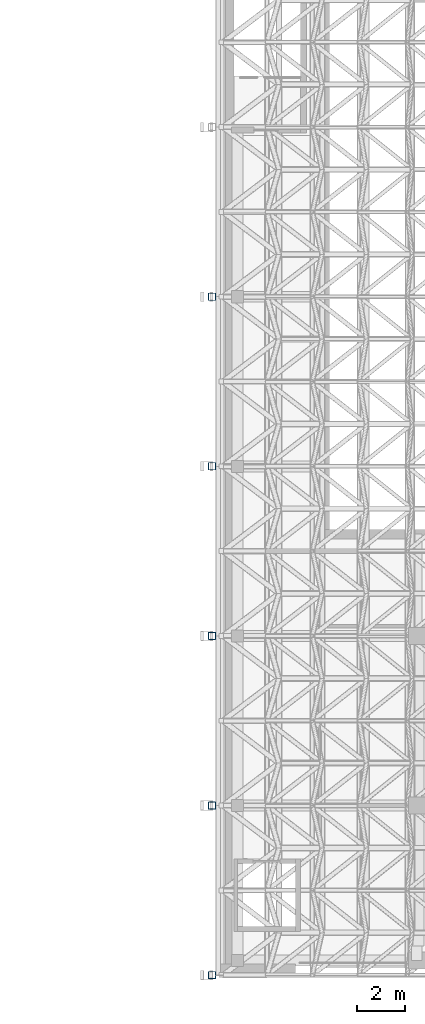
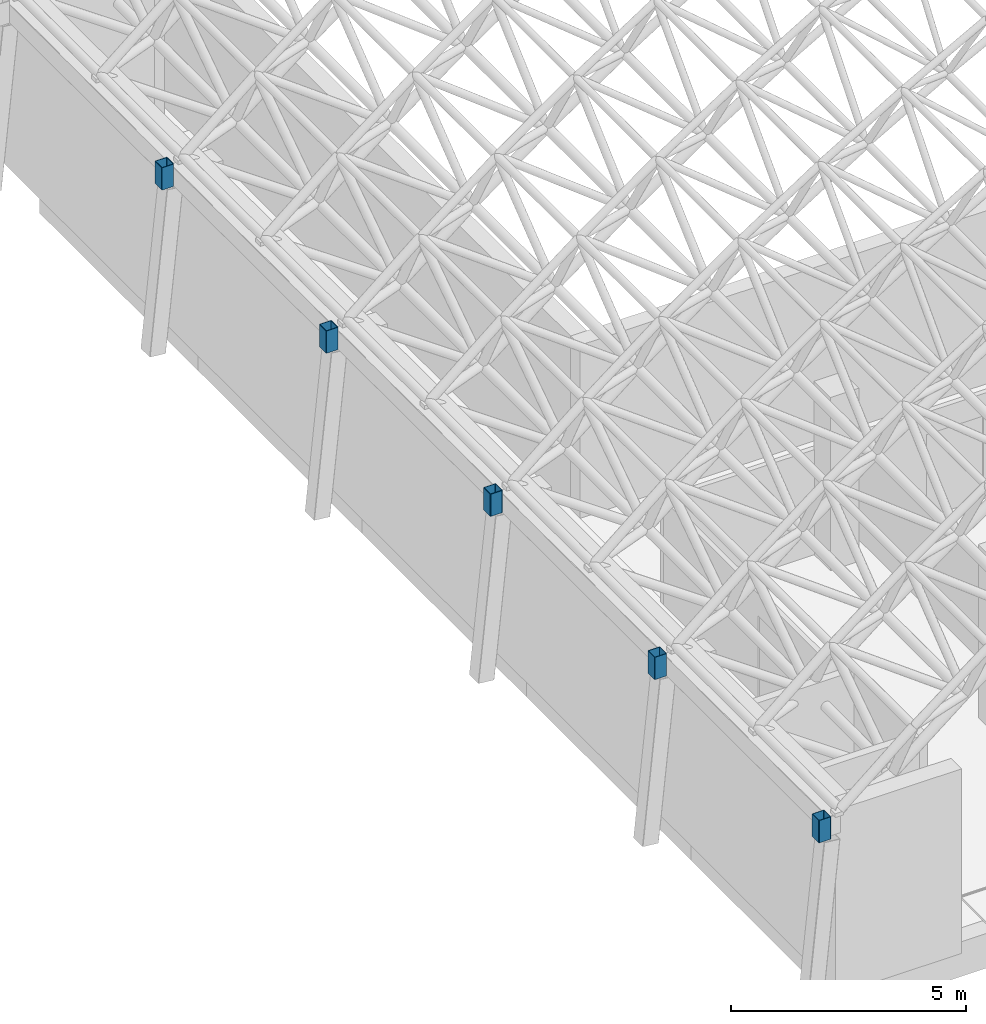
# One storey, part 5 of 141: 5 columns.
"""IFC4 building model written with IfcOpenShell, lengths in metres."""

from ifc_helpers import new_model, si_unit, direction, frame, origin, origin_2d, place, context, subcontext, project, spatial, hollow_rectangle, extrude, material, material_profile, profile_set, type_object, element, save


model = new_model("IFC4")

# Units and contexts
model_context = context("Model", 3, precision=1e-05, world=origin(), true_north=direction((0.0, 1.0)))
body_context = subcontext(model_context, "Body", "Model", "MODEL_VIEW")
ifc_project = project(units=[si_unit("LENGTHUNIT", "METRE"), si_unit("AREAUNIT", "SQUARE_METRE"), si_unit("VOLUMEUNIT", "CUBIC_METRE"), si_unit("PLANEANGLEUNIT", "RADIAN"), si_unit("MASSUNIT", "GRAM", prefix="KILO")], contexts=[model_context])

# Site, building, storey
site_placement = place(None, origin())
site = spatial("IfcSite", under=ifc_project, at=site_placement, CompositionType="ELEMENT")
building_placement = place(site_placement, origin())
building = spatial("IfcBuilding", under=site, at=building_placement, Name="Lantern Court Media Centre", CompositionType="ELEMENT")
storey_placement = place(building_placement, frame((0.0, 0.0, 9.60009765625)))
storey = spatial("IfcBuildingStorey", under=building, at=storey_placement, Name="L02", CompositionType="ELEMENT", Elevation=9.60009765625)

# Columns
ifc_material = material(Name="Steel S355J2 (EN 10025-2)", Category="steel")
ifc_material_profile = material_profile(ifc_material, hollow_rectangle(XDim=0.300048828125, YDim=0.300048828125, WallThickness=0.012451171875, InnerFilletRadius=0.012451171875, OuterFilletRadius=0.018798828125, at=origin_2d()), Name="Studio Hall buttress pinnacle SHS 300x12.5")
ifc_profile_set = profile_set([ifc_material_profile], Name="Steel S355J2 (EN 10025-2)")
column_type = type_object("IfcColumnType", Name="Studio Hall buttress pinnacle SHS 300x12.5", PredefinedType="COLUMN", material=ifc_profile_set)
for number, where, z_axis, x_axis, name in (
    (1, (71.5498046875, -2.0, 4.220458984375), (0.0, 0.0, 1.0), (1.0, 0.0, 0.0), "Studio Hall pinnacle west 1"),
    (2, (71.5498046875, 5.0, 4.220458984375), (0.0, 0.0, 1.0), (1.0, 0.0, 0.0), "Studio Hall pinnacle west 2"),
    (3, (71.5498046875, 12.0, 4.220458984375), (0.0, 0.0, 1.0), (1.0, 0.0, 0.0), "Studio Hall pinnacle west 3"),
    (4, (71.5498046875, 19.0, 4.220458984375), (0.0, 0.0, 1.0), (1.0, 0.0, 0.0), "Studio Hall pinnacle west 4"),
    (5, (71.5498046875, 26.0, 4.220458984375), (0.0, 0.0, 1.0), (1.0, 0.0, 0.0), "Studio Hall pinnacle west 5"),
):
    element("IfcColumn", number, at=place(storey_placement, frame(where, z_axis=z_axis, x_axis=x_axis)), inside=storey, type_object=column_type, Name=name, PredefinedType="COLUMN", context=body_context, shape_type="SweptSolid", body=[
        extrude(hollow_rectangle(XDim=0.300048828125, YDim=0.300048828125, WallThickness=0.012451171875, InnerFilletRadius=0.012451171875, OuterFilletRadius=0.018798828125, at=origin_2d()), origin(), (0.0, 0.0, 1.0), 0.579345703125),
    ])

save(model, "model.ifc")
